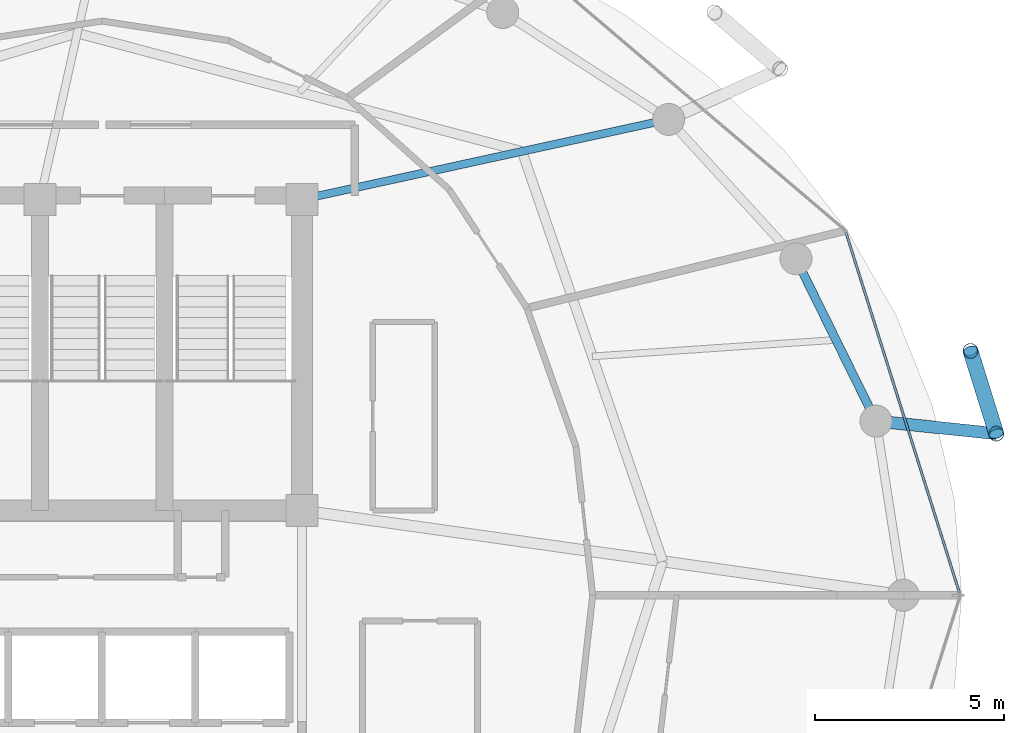
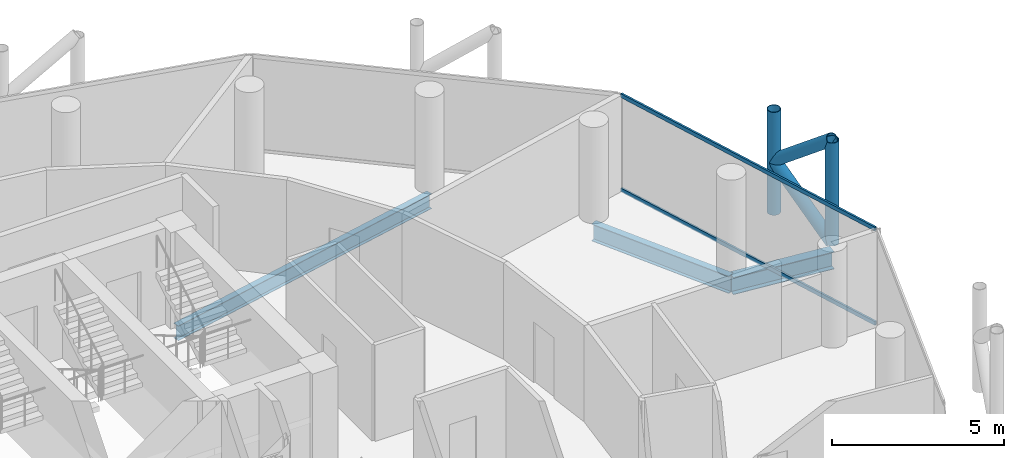
# One storey, part 16 of 28: 6 members, 3 beams, 1 element without a shape of its own.
"""IFC4 building model written with IfcOpenShell, lengths in metres."""

from ifc_helpers import new_model, si_unit, direction, frame, origin, origin_2d, place, context, subcontext, project, spatial, hollow_rectangle, hollow_circle, i_section, extrude, material, layer, layer_set, material_profile, profile_set, type_object, element, aggregate, save


model = new_model("IFC4")

# Units and contexts
model_context = context("Model", 3, precision=1e-05, world=origin(), true_north=direction((0.0, 1.0)))
body_context = subcontext(model_context, "Body", "Model", "MODEL_VIEW")
ifc_project = project(units=[si_unit("LENGTHUNIT", "METRE"), si_unit("AREAUNIT", "SQUARE_METRE"), si_unit("VOLUMEUNIT", "CUBIC_METRE"), si_unit("PLANEANGLEUNIT", "RADIAN"), si_unit("MASSUNIT", "GRAM", prefix="KILO")], contexts=[model_context])

# Site, building, storey
site_placement = place(None, origin())
site = spatial("IfcSite", under=ifc_project, at=site_placement, CompositionType="ELEMENT")
building_placement = place(site_placement, origin())
building = spatial("IfcBuilding", under=site, at=building_placement, Name="Nuhasar Tower", CompositionType="ELEMENT")
storey_placement = place(building_placement, frame((0.0, 0.0, 222.75)))
storey = spatial("IfcBuildingStorey", under=building, at=storey_placement, Name="L54", CompositionType="ELEMENT", Elevation=222.75)

# Beams
ifc_material_1 = material(Name="Steel S355", Category="steel")
ifc_material_profile_1 = material_profile(ifc_material_1, i_section(OverallWidth=0.208984375, OverallDepth=0.528076171875, WebThickness=0.009521484375, FlangeThickness=0.01318359375, at=origin_2d()), Name="W21X55")
ifc_profile_set_1 = profile_set([ifc_material_profile_1], Name="Steel S355")
beam_type_1 = type_object("IfcBeamType", Name="BM-RAD-W21X55", PredefinedType="BEAM", material=ifc_profile_set_1)
beam_1_placement = place(storey_placement, frame((44.300048828125, 37.300048828125, -0.50390625), z_axis=(0.977014275474, 0.213173885644, 0.0), x_axis=(-0.213173885644, 0.977014275474, 0.0)))
element("IfcBeam", 1, at=beam_1_placement, inside=storey, type_object=beam_type_1, Name="L54 Radial Floor Girder 05", PredefinedType="BEAM", context=body_context, shape_type="SweptSolid", body=[
    extrude(i_section(OverallWidth=0.208984375, OverallDepth=0.528076171875, WebThickness=0.009521484375, FlangeThickness=0.01318359375, at=origin_2d()), origin(), (0.0, 0.0, 1.0), 9.95458984375),
])
ifc_material_profile_2 = material_profile(ifc_material_1, i_section(OverallWidth=0.22802734375, OverallDepth=0.60791015625, WebThickness=0.01123046875, FlangeThickness=0.017333984375, at=origin_2d()), Name="W24X76")
ifc_profile_set_2 = profile_set([ifc_material_profile_2], Name="Steel S355")
beam_type_2 = type_object("IfcBeamType", Name="BM-RING-W24X76", PredefinedType="SPANDREL", material=ifc_profile_set_2)
beam_2_placement = place(storey_placement, frame((59.52587890625, 31.419921875, -0.5439453125), z_axis=(-0.442242604409, 0.896895467067, 0.0), x_axis=(-0.896895467067, -0.442242604409, 0.0)))
element("IfcBeam", 2, at=beam_2_placement, inside=storey, type_object=beam_type_2, Name="L54 Perimeter Ring Spandrel 02", PredefinedType="SPANDREL", context=body_context, shape_type="SweptSolid", body=[
    extrude(i_section(OverallWidth=0.22802734375, OverallDepth=0.60791015625, WebThickness=0.01123046875, FlangeThickness=0.017333984375, at=origin_2d()), origin(), (0.0, 0.0, 1.0), 4.800048828125),
])
ifc_material_profile_3 = material_profile(ifc_material_1, i_section(OverallWidth=0.323974609375, OverallDepth=0.611083984375, WebThickness=0.0126953125, FlangeThickness=0.01904296875, at=origin_2d()), Name="W24X104")
ifc_profile_set_3 = profile_set([ifc_material_profile_3], Name="Steel S355")
beam_type_3 = type_object("IfcBeamType", Name="BM-TIE-W24X104", PredefinedType="BEAM", material=ifc_profile_set_3)
beam_3_placement = place(storey_placement, frame((59.52587890625, 31.419921875, -0.5458984375), z_axis=(0.994571111079, -0.10405914187, 0.0), x_axis=(0.10405914187, 0.994571111079, 0.0)))
element("IfcBeam", 3, at=beam_3_placement, inside=storey, type_object=beam_type_3, Name="L54 Exoskeleton Node Tie Beam 01", PredefinedType="BEAM", context=body_context, shape_type="SweptSolid", body=[
    extrude(i_section(OverallWidth=0.323974609375, OverallDepth=0.611083984375, WebThickness=0.0126953125, FlangeThickness=0.01904296875, at=origin_2d()), origin(), (0.0, 0.0, 1.0), 3.20947265625),
])

# Curtain wall, members
ifc_material_2 = material(Name="Aluminium 6063-T6", Category="aluminium")
ifc_layer = layer(ifc_material_2, 0.18994140625)
ifc_layer_set = layer_set([ifc_layer], Name="Aluminium 6063-T6")
curtain_wall_type = type_object("IfcCurtainWallType", Name="CW-Z3-RES", PredefinedType="NOTDEFINED", material=ifc_layer_set)
curtain_wall_placement = place(storey_placement, origin())
curtain_wall = element("IfcCurtainWall", 4, at=curtain_wall_placement, inside=storey, type_object=curtain_wall_type, Name="L54 Unitised Curtain Wall 01", PredefinedType="NOTDEFINED")
ifc_material_profile_4 = material_profile(ifc_material_2, hollow_rectangle(XDim=0.06494140625, YDim=0.139892578125, WallThickness=0.00439453125, at=origin_2d()), Name="CWT-4")
ifc_profile_set_4 = profile_set([ifc_material_profile_4], Name="Aluminium 6063-T6")
member_type_1 = type_object("IfcMemberType", Name="CW-TRN-S4", PredefinedType="USERDEFINED", material=ifc_profile_set_4)
member_1_placement = place(storey_placement, frame((61.740478515625, 26.862060546875, 0.032470703125), z_axis=(-0.300437373386, 0.953801543652, 0.0), x_axis=(-0.953801543652, -0.300437373386, 0.0)))
member_1 = element("IfcMember", 5, at=member_1_placement, type_object=member_type_1, Name="CW-Z3 transom 1.1", ObjectType="TRANSOM", PredefinedType="USERDEFINED", context=body_context, shape_type="SweptSolid", body=[
    extrude(hollow_rectangle(XDim=0.06494140625, YDim=0.139892578125, WallThickness=0.00439453125, at=origin_2d()), origin(), (0.0, 0.0, 1.0), 10.018798828125),
])
member_2_placement = place(storey_placement, frame((61.740478515625, 26.862060546875, 3.37744140625), z_axis=(-0.300437373386, 0.953801543652, 0.0), x_axis=(-0.953801543652, -0.300437373386, 0.0)))
member_2 = element("IfcMember", 6, at=member_2_placement, type_object=member_type_1, Name="CW-Z3 transom 1.2", ObjectType="TRANSOM", PredefinedType="USERDEFINED", context=body_context, shape_type="SweptSolid", body=[
    extrude(hollow_rectangle(XDim=0.06494140625, YDim=0.139892578125, WallThickness=0.00439453125, at=origin_2d()), origin(), (0.0, 0.0, 1.0), 10.018798828125),
])
aggregate(curtain_wall, [member_1, member_2])

# Members
ifc_material_3 = material(Name="Steel S460", Category="steel")
ifc_material_profile_5 = material_profile(ifc_material_3, hollow_circle(Radius=0.203125, WallThickness=0.01904296875, at=origin_2d()), Name="HSS406.4X19.1")
ifc_profile_set_5 = profile_set([ifc_material_profile_5], Name="Steel S460")
member_type_2 = type_object("IfcMemberType", Name="EXO-BRONZE-406", PredefinedType="BRACE", material=ifc_profile_set_5)
for number, where, z_axis, x_axis, name in (
    (7, (62.718017578125, 31.0859375, 0.0), (0.0, 0.0, 1.0), (1.0, 0.0, 0.0), "L54 Exoskeleton Chord Column EC-01A"),
    (8, (62.032958984375, 33.281005859375, 0.0), (0.0, 0.0, 1.0), (1.0, 0.0, 0.0), "L54 Exoskeleton Chord Column EC-01B"),
):
    element("IfcMember", number, at=place(storey_placement, frame(where, z_axis=z_axis, x_axis=x_axis)), inside=storey, type_object=member_type_2, Name=name, PredefinedType="BRACE", context=body_context, shape_type="SweptSolid", body=[
        extrude(hollow_circle(Radius=0.203125, WallThickness=0.01904296875, at=origin_2d()), origin(), (0.0, 0.0, 1.0), 3.64990234375),
    ])
for number, where, z_axis, x_axis, name in (
    (9, (62.718017578125, 31.0859375, 0.0), (-0.233357911711, 0.747726651531, 0.621650174641), (-0.954591372974, -0.297918295247, 0.0), "L54 Bronze Diagrid Brace W1-01"),
    (10, (62.032958984375, 33.281005859375, 1.824951171875), (0.233357911711, -0.747726651531, 0.621650174641), (0.954591372974, 0.297918295247, 0.0), "L54 Bronze Diagrid Brace W2-01"),
):
    element("IfcMember", number, at=place(storey_placement, frame(where, z_axis=z_axis, x_axis=x_axis)), inside=storey, type_object=member_type_2, Name=name, PredefinedType="BRACE", context=body_context, shape_type="SweptSolid", body=[
        extrude(hollow_circle(Radius=0.203125, WallThickness=0.01904296875, at=origin_2d()), origin(), (0.0, 0.0, 1.0), 2.935546875),
    ])

save(model, "model.ifc")
